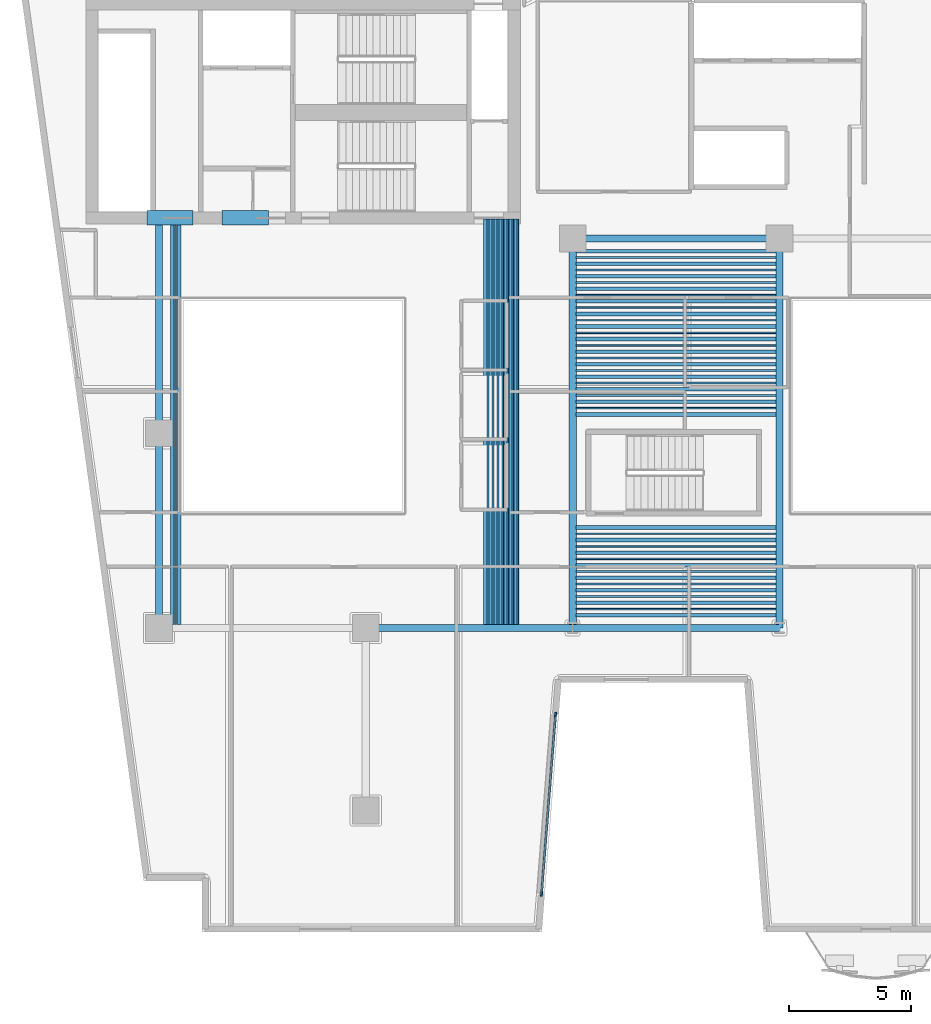
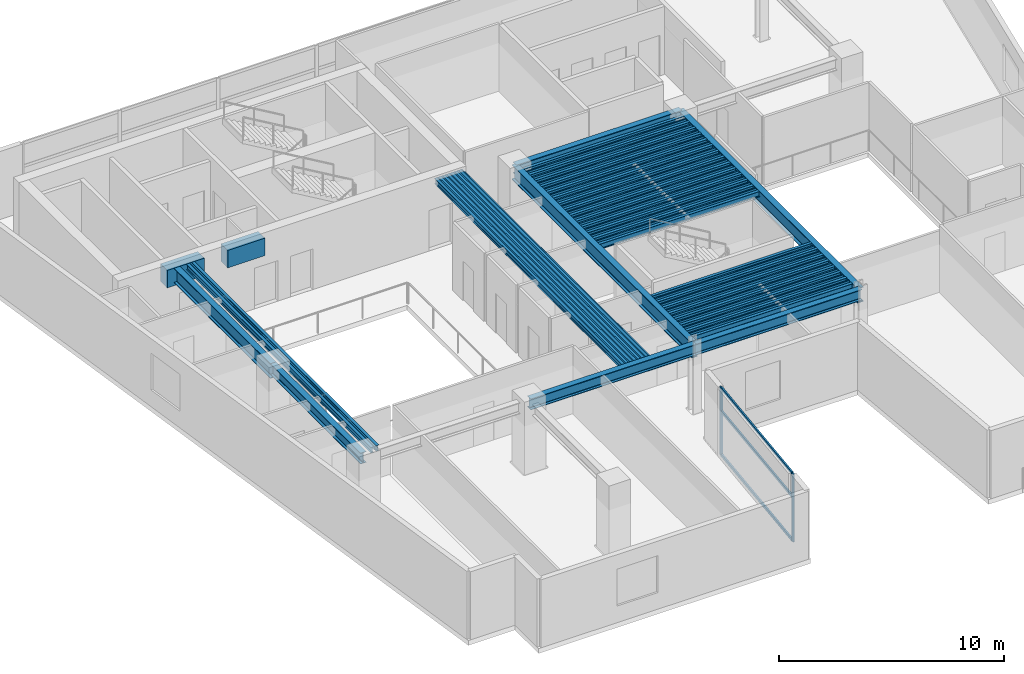
# One storey, part 2 of 13: 68 beams, 5 members, 1 element without a shape of its own.
"""IFC4 building model written with IfcOpenShell, lengths in metres."""

from ifc_helpers import new_model, si_unit, direction, frame, origin, origin_2d, place, context, subcontext, project, spatial, rectangle, hollow_rectangle, i_section, extrude, material, layer, layer_set, material_profile, profile_set, type_object, element, aggregate, save


model = new_model("IFC4")

# Units and contexts
model_context = context("Model", 3, precision=1e-05, world=origin(), true_north=direction((0.0, 1.0)))
body_context = subcontext(model_context, "Body", "Model", "MODEL_VIEW")
ifc_project = project(units=[si_unit("LENGTHUNIT", "METRE"), si_unit("AREAUNIT", "SQUARE_METRE"), si_unit("VOLUMEUNIT", "CUBIC_METRE"), si_unit("PLANEANGLEUNIT", "RADIAN"), si_unit("MASSUNIT", "GRAM", prefix="KILO")], contexts=[model_context])

# Site, building, storey
site_placement = place(None, origin())
site = spatial("IfcSite", under=ifc_project, at=site_placement, CompositionType="ELEMENT")
building_placement = place(site_placement, origin())
building = spatial("IfcBuilding", under=site, at=building_placement, Name="Caeloran Harvest Quay", CompositionType="ELEMENT")
storey_placement = place(building_placement, frame((0.0, 0.0, 166.699951171875)))
storey = spatial("IfcBuildingStorey", under=building, at=storey_placement, Name="L39", CompositionType="ELEMENT", Elevation=166.699951171875)

# Beams
ifc_material_1 = material(Name="Concrete C60/75", Category="concrete")
ifc_material_profile_1 = material_profile(ifc_material_1, rectangle(XDim=0.60009765625, YDim=0.949951171875, at=origin_2d()), Name="RC 600x950")
ifc_profile_set_1 = profile_set([ifc_material_profile_1], Name="Concrete C60/75")
beam_type_1 = type_object("IfcBeamType", Name="BM-CB-2-RC_600x950", PredefinedType="LINTEL", material=ifc_profile_set_1)
for number, where, z_axis, x_axis, name in (
    (1, (8.0, 31.85009765625, 3.215087890625), (1.0, 0.0, 0.0), (0.0, 1.0, 0.0), "L39 Core Coupling Beam 1"),
    (2, (11.10009765625, 31.85009765625, 3.215087890625), (1.0, 0.0, 0.0), (0.0, 1.0, 0.0), "L39 Core Coupling Beam 2"),
):
    element("IfcBeam", number, at=place(storey_placement, frame(where, z_axis=z_axis, x_axis=x_axis)), inside=storey, type_object=beam_type_1, Name=name, PredefinedType="LINTEL", context=body_context, shape_type="SweptSolid", body=[
        extrude(rectangle(XDim=0.60009765625, YDim=0.949951171875, at=origin_2d()), origin(), (0.0, 0.0, 1.0), 1.89990234375),
    ])
ifc_material_2 = material(Name="Steel S355J2", Category="steel")
ifc_material_profile_2 = material_profile(ifc_material_2, i_section(OverallWidth=0.300048828125, OverallDepth=0.800048828125, WebThickness=0.017578125, FlangeThickness=0.032958984375, FilletRadius=0.030029296875, at=origin_2d()), Name="HE 800 B")
ifc_profile_set_2 = profile_set([ifc_material_profile_2], Name="Steel S355J2")
beam_type_2 = type_object("IfcBeamType", Name="BM-PG-1-HE_800_B", PredefinedType="BEAM", material=ifc_profile_set_2)
beam_1_placement = place(storey_placement, frame((8.5, 23.0, 3.2900390625), z_axis=(0.0, 1.0, 0.0), x_axis=(-1.0, 0.0, 0.0)))
element("IfcBeam", 3, at=beam_1_placement, inside=storey, type_object=beam_type_2, Name="L39 Core South Tie Girder X=8.5", PredefinedType="BEAM", context=body_context, shape_type="SweptSolid", body=[
    extrude(i_section(OverallWidth=0.300048828125, OverallDepth=0.800048828125, WebThickness=0.017578125, FlangeThickness=0.032958984375, FilletRadius=0.030029296875, at=origin_2d()), origin(), (0.0, 0.0, 1.0), 8.800048828125),
])
for number, where, z_axis, x_axis, name in (
    (4, (25.5, 15.0, 3.2900390625), (0.0, 1.0, 0.0), (-1.0, 0.0, 0.0), "L39 Primary North-South Girder X=25.5"),
    (5, (34.0, 15.0, 3.2900390625), (0.0, 1.0, 0.0), (-1.0, 0.0, 0.0), "L39 Primary North-South Girder X=34.0"),
):
    element("IfcBeam", number, at=place(storey_placement, frame(where, z_axis=z_axis, x_axis=x_axis)), inside=storey, type_object=beam_type_2, Name=name, PredefinedType="BEAM", context=body_context, shape_type="SweptSolid", body=[
        extrude(i_section(OverallWidth=0.300048828125, OverallDepth=0.800048828125, WebThickness=0.017578125, FlangeThickness=0.032958984375, FilletRadius=0.030029296875, at=origin_2d()), origin(), (0.0, 0.0, 1.0), 16.0),
    ])
ifc_material_profile_3 = material_profile(ifc_material_2, i_section(OverallWidth=0.300048828125, OverallDepth=0.60009765625, WebThickness=0.015380859375, FlangeThickness=0.030029296875, FilletRadius=0.027099609375, at=origin_2d()), Name="HE 600 B")
ifc_profile_set_3 = profile_set([ifc_material_profile_3], Name="Steel S355J2")
beam_type_3 = type_object("IfcBeamType", Name="BM-PG-3-HE_600_B", PredefinedType="BEAM", material=ifc_profile_set_3)
for number, where, z_axis, x_axis, name in (
    (6, (17.0, 15.0, 3.39013671875), (1.0, 0.0, 0.0), (0.0, 1.0, 0.0), "L39 Primary East-West Girder Y=15.0"),
    (7, (25.5, 15.0, 3.39013671875), (1.0, 0.0, 0.0), (0.0, 1.0, 0.0), "L39 Primary East-West Girder Y=15.0"),
    (8, (25.5, 31.0, 3.39013671875), (1.0, 0.0, 0.0), (0.0, 1.0, 0.0), "L39 Primary East-West Girder Y=31.0"),
):
    element("IfcBeam", number, at=place(storey_placement, frame(where, z_axis=z_axis, x_axis=x_axis)), inside=storey, type_object=beam_type_3, Name=name, PredefinedType="BEAM", context=body_context, shape_type="SweptSolid", body=[
        extrude(i_section(OverallWidth=0.300048828125, OverallDepth=0.60009765625, WebThickness=0.015380859375, FlangeThickness=0.030029296875, FilletRadius=0.027099609375, at=origin_2d()), origin(), (0.0, 0.0, 1.0), 8.5),
    ])
beam_2_placement = place(storey_placement, frame((8.5, 15.0, 3.39013671875), z_axis=(0.0, 1.0, 0.0), x_axis=(-1.0, 0.0, 0.0)))
element("IfcBeam", 9, at=beam_2_placement, inside=storey, type_object=beam_type_3, Name="L39 Primary North-South Girder X=8.5", PredefinedType="BEAM", context=body_context, shape_type="SweptSolid", body=[
    extrude(i_section(OverallWidth=0.300048828125, OverallDepth=0.60009765625, WebThickness=0.015380859375, FlangeThickness=0.030029296875, FilletRadius=0.027099609375, at=origin_2d()), origin(), (0.0, 0.0, 1.0), 8.0),
])
ifc_material_profile_4 = material_profile(ifc_material_2, i_section(OverallWidth=0.14990234375, OverallDepth=0.300048828125, WebThickness=0.007080078125, FlangeThickness=0.0107421875, FilletRadius=0.014892578125, at=origin_2d()), Name="IPE 300")
ifc_profile_set_4 = profile_set([ifc_material_profile_4], Name="Steel S355J2")
beam_type_4 = type_object("IfcBeamType", Name="BM-SB-6-IPE_300", PredefinedType="JOIST", material=ifc_profile_set_4)
for number, where, z_axis, x_axis, name in (
    (10, (9.04833984375, 15.14501953125, 3.5400390625), (0.0, 1.0, 0.0), (-1.0, 0.0, 0.0), "L39 Secondary Composite Joist"),
    (11, (9.322509765625, 15.14501953125, 3.5400390625), (0.0, 1.0, 0.0), (-1.0, 0.0, 0.0), "L39 Secondary Composite Joist"),
    (12, (21.916015625, 15.14501953125, 3.5400390625), (0.0, 1.0, 0.0), (-1.0, 0.0, 0.0), "L39 Secondary Composite Joist"),
    (13, (22.12109375, 15.14501953125, 3.5400390625), (0.0, 1.0, 0.0), (-1.0, 0.0, 0.0), "L39 Secondary Composite Joist"),
    (14, (22.32568359375, 15.14501953125, 3.5400390625), (0.0, 1.0, 0.0), (-1.0, 0.0, 0.0), "L39 Secondary Composite Joist"),
    (15, (22.530517578125, 15.14501953125, 3.5400390625), (0.0, 1.0, 0.0), (-1.0, 0.0, 0.0), "L39 Secondary Composite Joist"),
    (16, (22.735595703125, 15.14501953125, 3.5400390625), (0.0, 1.0, 0.0), (-1.0, 0.0, 0.0), "L39 Secondary Composite Joist"),
    (17, (22.940185546875, 15.14501953125, 3.5400390625), (0.0, 1.0, 0.0), (-1.0, 0.0, 0.0), "L39 Secondary Composite Joist"),
    (18, (23.145263671875, 15.14501953125, 3.5400390625), (0.0, 1.0, 0.0), (-1.0, 0.0, 0.0), "L39 Secondary Composite Joist"),
):
    element("IfcBeam", number, at=place(storey_placement, frame(where, z_axis=z_axis, x_axis=x_axis)), inside=storey, type_object=beam_type_4, Name=name, PredefinedType="JOIST", context=body_context, shape_type="SweptSolid", body=[
        extrude(i_section(OverallWidth=0.14990234375, OverallDepth=0.300048828125, WebThickness=0.007080078125, FlangeThickness=0.0107421875, FilletRadius=0.014892578125, at=origin_2d()), origin(), (0.0, 0.0, 1.0), 16.655029296875),
    ])
for number, where, z_axis, x_axis, name in (
    (19, (25.64501953125, 15.51611328125, 3.5400390625), (1.0, 0.0, 0.0), (0.0, 1.0, 0.0), "L39 Secondary East-West Composite Joist"),
    (20, (25.64501953125, 16.0322265625, 3.5400390625), (1.0, 0.0, 0.0), (0.0, 1.0, 0.0), "L39 Secondary East-West Composite Joist"),
    (21, (25.64501953125, 16.54833984375, 3.5400390625), (1.0, 0.0, 0.0), (0.0, 1.0, 0.0), "L39 Secondary East-West Composite Joist"),
    (22, (25.64501953125, 17.064453125, 3.5400390625), (1.0, 0.0, 0.0), (0.0, 1.0, 0.0), "L39 Secondary East-West Composite Joist"),
    (23, (25.64501953125, 17.58056640625, 3.5400390625), (1.0, 0.0, 0.0), (0.0, 1.0, 0.0), "L39 Secondary East-West Composite Joist"),
    (24, (25.64501953125, 18.0966796875, 3.5400390625), (1.0, 0.0, 0.0), (0.0, 1.0, 0.0), "L39 Secondary East-West Composite Joist"),
    (25, (25.64501953125, 18.61279296875, 3.5400390625), (1.0, 0.0, 0.0), (0.0, 1.0, 0.0), "L39 Secondary East-West Composite Joist"),
    (26, (25.64501953125, 19.12890625, 3.5400390625), (1.0, 0.0, 0.0), (0.0, 1.0, 0.0), "L39 Secondary East-West Composite Joist"),
    (27, (25.64501953125, 23.774169921875, 3.5400390625), (1.0, 0.0, 0.0), (0.0, 1.0, 0.0), "L39 Secondary East-West Composite Joist"),
    (28, (25.64501953125, 24.290283203125, 3.5400390625), (1.0, 0.0, 0.0), (0.0, 1.0, 0.0), "L39 Secondary East-West Composite Joist"),
    (29, (25.64501953125, 24.806396484375, 3.5400390625), (1.0, 0.0, 0.0), (0.0, 1.0, 0.0), "L39 Secondary East-West Composite Joist"),
    (30, (25.64501953125, 25.322509765625, 3.5400390625), (1.0, 0.0, 0.0), (0.0, 1.0, 0.0), "L39 Secondary East-West Composite Joist"),
    (31, (25.64501953125, 25.838623046875, 3.5400390625), (1.0, 0.0, 0.0), (0.0, 1.0, 0.0), "L39 Secondary East-West Composite Joist"),
    (32, (25.64501953125, 26.354736328125, 3.5400390625), (1.0, 0.0, 0.0), (0.0, 1.0, 0.0), "L39 Secondary East-West Composite Joist"),
    (33, (25.64501953125, 26.87109375, 3.5400390625), (1.0, 0.0, 0.0), (0.0, 1.0, 0.0), "L39 Secondary East-West Composite Joist"),
    (34, (25.64501953125, 27.38720703125, 3.5400390625), (1.0, 0.0, 0.0), (0.0, 1.0, 0.0), "L39 Secondary East-West Composite Joist"),
    (35, (25.64501953125, 27.9033203125, 3.5400390625), (1.0, 0.0, 0.0), (0.0, 1.0, 0.0), "L39 Secondary East-West Composite Joist"),
    (36, (25.64501953125, 28.41943359375, 3.5400390625), (1.0, 0.0, 0.0), (0.0, 1.0, 0.0), "L39 Secondary East-West Composite Joist"),
    (37, (25.64501953125, 28.935546875, 3.5400390625), (1.0, 0.0, 0.0), (0.0, 1.0, 0.0), "L39 Secondary East-West Composite Joist"),
    (38, (25.64501953125, 29.45166015625, 3.5400390625), (1.0, 0.0, 0.0), (0.0, 1.0, 0.0), "L39 Secondary East-West Composite Joist"),
    (39, (25.64501953125, 29.9677734375, 3.5400390625), (1.0, 0.0, 0.0), (0.0, 1.0, 0.0), "L39 Secondary East-West Composite Joist"),
    (40, (25.64501953125, 30.48388671875, 3.5400390625), (1.0, 0.0, 0.0), (0.0, 1.0, 0.0), "L39 Secondary East-West Composite Joist"),
):
    element("IfcBeam", number, at=place(storey_placement, frame(where, z_axis=z_axis, x_axis=x_axis)), inside=storey, type_object=beam_type_4, Name=name, PredefinedType="JOIST", context=body_context, shape_type="SweptSolid", body=[
        extrude(i_section(OverallWidth=0.14990234375, OverallDepth=0.300048828125, WebThickness=0.007080078125, FlangeThickness=0.0107421875, FilletRadius=0.014892578125, at=origin_2d()), origin(), (0.0, 0.0, 1.0), 8.2099609375),
    ])
ifc_material_profile_5 = material_profile(ifc_material_2, hollow_rectangle(XDim=0.080078125, YDim=0.199951171875, WallThickness=0.006103515625, InnerFilletRadius=0.006103515625, OuterFilletRadius=0.009033203125, at=origin_2d()), Name="RHS 200x80x6")
ifc_profile_set_5 = profile_set([ifc_material_profile_5], Name="Steel S355J2")
beam_type_5 = type_object("IfcBeamType", Name="BM-SB-7-RHS_200x80x6", PredefinedType="JOIST", material=ifc_profile_set_5)
for number, where, z_axis, x_axis, name in (
    (41, (9.185546875, 15.14501953125, 3.590087890625), (0.0, 1.0, 0.0), (-1.0, 0.0, 0.0), "L39 Secondary Composite Joist"),
    (42, (22.0185546875, 15.14501953125, 3.590087890625), (0.0, 1.0, 0.0), (-1.0, 0.0, 0.0), "L39 Secondary Composite Joist"),
    (43, (22.223388671875, 15.14501953125, 3.590087890625), (0.0, 1.0, 0.0), (-1.0, 0.0, 0.0), "L39 Secondary Composite Joist"),
    (44, (22.42822265625, 15.14501953125, 3.590087890625), (0.0, 1.0, 0.0), (-1.0, 0.0, 0.0), "L39 Secondary Composite Joist"),
    (45, (22.633056640625, 15.14501953125, 3.590087890625), (0.0, 1.0, 0.0), (-1.0, 0.0, 0.0), "L39 Secondary Composite Joist"),
    (46, (22.837890625, 15.14501953125, 3.590087890625), (0.0, 1.0, 0.0), (-1.0, 0.0, 0.0), "L39 Secondary Composite Joist"),
    (47, (23.042724609375, 15.14501953125, 3.590087890625), (0.0, 1.0, 0.0), (-1.0, 0.0, 0.0), "L39 Secondary Composite Joist"),
    (48, (23.24755859375, 15.14501953125, 3.590087890625), (0.0, 1.0, 0.0), (-1.0, 0.0, 0.0), "L39 Secondary Composite Joist"),
):
    element("IfcBeam", number, at=place(storey_placement, frame(where, z_axis=z_axis, x_axis=x_axis)), inside=storey, type_object=beam_type_5, Name=name, PredefinedType="JOIST", context=body_context, shape_type="SweptSolid", body=[
        extrude(hollow_rectangle(XDim=0.080078125, YDim=0.199951171875, WallThickness=0.006103515625, InnerFilletRadius=0.006103515625, OuterFilletRadius=0.009033203125, at=origin_2d()), origin(), (0.0, 0.0, 1.0), 16.655029296875),
    ])
for number, where, z_axis, x_axis, name in (
    (49, (25.64501953125, 15.774169921875, 3.590087890625), (1.0, 0.0, 0.0), (0.0, 1.0, 0.0), "L39 Secondary East-West Composite Joist"),
    (50, (25.64501953125, 16.290283203125, 3.590087890625), (1.0, 0.0, 0.0), (0.0, 1.0, 0.0), "L39 Secondary East-West Composite Joist"),
    (51, (25.64501953125, 16.806396484375, 3.590087890625), (1.0, 0.0, 0.0), (0.0, 1.0, 0.0), "L39 Secondary East-West Composite Joist"),
    (52, (25.64501953125, 17.322509765625, 3.590087890625), (1.0, 0.0, 0.0), (0.0, 1.0, 0.0), "L39 Secondary East-West Composite Joist"),
    (53, (25.64501953125, 17.838623046875, 3.590087890625), (1.0, 0.0, 0.0), (0.0, 1.0, 0.0), "L39 Secondary East-West Composite Joist"),
    (54, (25.64501953125, 18.354736328125, 3.590087890625), (1.0, 0.0, 0.0), (0.0, 1.0, 0.0), "L39 Secondary East-West Composite Joist"),
    (55, (25.64501953125, 18.87109375, 3.590087890625), (1.0, 0.0, 0.0), (0.0, 1.0, 0.0), "L39 Secondary East-West Composite Joist"),
    (56, (25.64501953125, 24.0322265625, 3.590087890625), (1.0, 0.0, 0.0), (0.0, 1.0, 0.0), "L39 Secondary East-West Composite Joist"),
    (57, (25.64501953125, 24.54833984375, 3.590087890625), (1.0, 0.0, 0.0), (0.0, 1.0, 0.0), "L39 Secondary East-West Composite Joist"),
    (58, (25.64501953125, 25.064453125, 3.590087890625), (1.0, 0.0, 0.0), (0.0, 1.0, 0.0), "L39 Secondary East-West Composite Joist"),
    (59, (25.64501953125, 25.58056640625, 3.590087890625), (1.0, 0.0, 0.0), (0.0, 1.0, 0.0), "L39 Secondary East-West Composite Joist"),
    (60, (25.64501953125, 26.0966796875, 3.590087890625), (1.0, 0.0, 0.0), (0.0, 1.0, 0.0), "L39 Secondary East-West Composite Joist"),
    (61, (25.64501953125, 26.61279296875, 3.590087890625), (1.0, 0.0, 0.0), (0.0, 1.0, 0.0), "L39 Secondary East-West Composite Joist"),
    (62, (25.64501953125, 27.12890625, 3.590087890625), (1.0, 0.0, 0.0), (0.0, 1.0, 0.0), "L39 Secondary East-West Composite Joist"),
    (63, (25.64501953125, 27.645263671875, 3.590087890625), (1.0, 0.0, 0.0), (0.0, 1.0, 0.0), "L39 Secondary East-West Composite Joist"),
    (64, (25.64501953125, 28.161376953125, 3.590087890625), (1.0, 0.0, 0.0), (0.0, 1.0, 0.0), "L39 Secondary East-West Composite Joist"),
    (65, (25.64501953125, 28.677490234375, 3.590087890625), (1.0, 0.0, 0.0), (0.0, 1.0, 0.0), "L39 Secondary East-West Composite Joist"),
    (66, (25.64501953125, 29.193603515625, 3.590087890625), (1.0, 0.0, 0.0), (0.0, 1.0, 0.0), "L39 Secondary East-West Composite Joist"),
    (67, (25.64501953125, 29.709716796875, 3.590087890625), (1.0, 0.0, 0.0), (0.0, 1.0, 0.0), "L39 Secondary East-West Composite Joist"),
    (68, (25.64501953125, 30.225830078125, 3.590087890625), (1.0, 0.0, 0.0), (0.0, 1.0, 0.0), "L39 Secondary East-West Composite Joist"),
):
    element("IfcBeam", number, at=place(storey_placement, frame(where, z_axis=z_axis, x_axis=x_axis)), inside=storey, type_object=beam_type_5, Name=name, PredefinedType="JOIST", context=body_context, shape_type="SweptSolid", body=[
        extrude(hollow_rectangle(XDim=0.080078125, YDim=0.199951171875, WallThickness=0.006103515625, InnerFilletRadius=0.006103515625, OuterFilletRadius=0.009033203125, at=origin_2d()), origin(), (0.0, 0.0, 1.0), 8.2099609375),
    ])

# Curtain wall, members
ifc_material_3 = material(Name="Aluminium 6063-T6 and Low-E Glazing", Category="aluminium")
ifc_layer = layer(ifc_material_3, 0.22998046875, Name="Aluminium 6063-T6 and Low-E Glazing")
ifc_layer_set = layer_set([ifc_layer], Name="Aluminium 6063-T6 and Low-E Glazing")
curtain_wall_type = type_object("IfcCurtainWallType", Name="CW-SYS-CW-6", PredefinedType="USERDEFINED", material=ifc_layer_set)
curtain_wall_placement = place(storey_placement, origin())
curtain_wall = element("IfcCurtainWall", 69, at=curtain_wall_placement, inside=storey, type_object=curtain_wall_type, Name="L39 Unitised Curtain Wall CW-6 Run 15", ObjectType="CURTAIN_WALL", PredefinedType="USERDEFINED")
ifc_material_4 = material(Name="Aluminium 6063-T6", Category="aluminium")
ifc_material_profile_6 = material_profile(ifc_material_4, rectangle(XDim=0.080078125, YDim=0.179931640625, at=origin_2d()), Name="CW-MULLION-180")
ifc_profile_set_6 = profile_set([ifc_material_profile_6], Name="Aluminium 6063-T6")
member_type_1 = type_object("IfcMemberType", Name="CW-MULLION-180", PredefinedType="MULLION", material=ifc_profile_set_6)
member_1_placement = place(storey_placement, frame((24.7978515625, 11.4443359375, 0.0), z_axis=(0.0, 0.0, 1.0), x_axis=(0.996967280277, -0.077821861046, 0.0)))
member_1 = element("IfcMember", 70, at=member_1_placement, type_object=member_type_1, Name="CW-6 mullion 1", PredefinedType="MULLION", context=body_context, shape_type="SweptSolid", body=[
    extrude(rectangle(XDim=0.080078125, YDim=0.179931640625, at=origin_2d()), origin(), (0.0, 0.0, 1.0), 3.68994140625),
])
member_2_placement = place(storey_placement, frame((24.221923828125, 4.065673828125, 0.0), z_axis=(0.0, 0.0, 1.0), x_axis=(0.996967280277, -0.077821861046, 0.0)))
member_2 = element("IfcMember", 71, at=member_2_placement, type_object=member_type_1, Name="CW-6 mullion 2", PredefinedType="MULLION", context=body_context, shape_type="SweptSolid", body=[
    extrude(rectangle(XDim=0.080078125, YDim=0.179931640625, at=origin_2d()), origin(), (0.0, 0.0, 1.0), 3.68994140625),
])
ifc_material_profile_7 = material_profile(ifc_material_4, rectangle(XDim=0.080078125, YDim=0.14990234375, at=origin_2d()), Name="CW-TRANSOM-150")
ifc_profile_set_7 = profile_set([ifc_material_profile_7], Name="Aluminium 6063-T6")
member_type_2 = type_object("IfcMemberType", Name="CW-TRANSOM-150", PredefinedType="USERDEFINED", material=ifc_profile_set_7)
member_3_placement = place(storey_placement, frame((24.794677734375, 11.404541015625, 0.0400390625), z_axis=(-0.077831218093, -0.996966549835, 0.0), x_axis=(0.996966549835, -0.077831218093, 0.0)))
member_3 = element("IfcMember", 72, at=member_3_placement, type_object=member_type_2, Name="CW-6 transom 1.1", ObjectType="TRANSOM", PredefinedType="USERDEFINED", context=body_context, shape_type="SweptSolid", body=[
    extrude(rectangle(XDim=0.080078125, YDim=0.14990234375, at=origin_2d()), origin(), (0.0, 0.0, 1.0), 7.3212890625),
])
member_4_placement = place(storey_placement, frame((24.794677734375, 11.404541015625, 2.400146484375), z_axis=(-0.077831218093, -0.996966549835, 0.0), x_axis=(0.996966549835, -0.077831218093, 0.0)))
member_4 = element("IfcMember", 73, at=member_4_placement, type_object=member_type_2, Name="CW-6 transom 1.2", ObjectType="TRANSOM", PredefinedType="USERDEFINED", context=body_context, shape_type="SweptSolid", body=[
    extrude(rectangle(XDim=0.080078125, YDim=0.14990234375, at=origin_2d()), origin(), (0.0, 0.0, 1.0), 7.3212890625),
])
member_5_placement = place(storey_placement, frame((24.794677734375, 11.404541015625, 3.650146484375), z_axis=(-0.077831218093, -0.996966549835, 0.0), x_axis=(0.996966549835, -0.077831218093, 0.0)))
member_5 = element("IfcMember", 74, at=member_5_placement, type_object=member_type_2, Name="CW-6 transom 1.3", ObjectType="TRANSOM", PredefinedType="USERDEFINED", context=body_context, shape_type="SweptSolid", body=[
    extrude(rectangle(XDim=0.080078125, YDim=0.14990234375, at=origin_2d()), origin(), (0.0, 0.0, 1.0), 7.3212890625),
])
aggregate(curtain_wall, [member_1, member_2, member_3, member_4, member_5])

save(model, "model.ifc")
